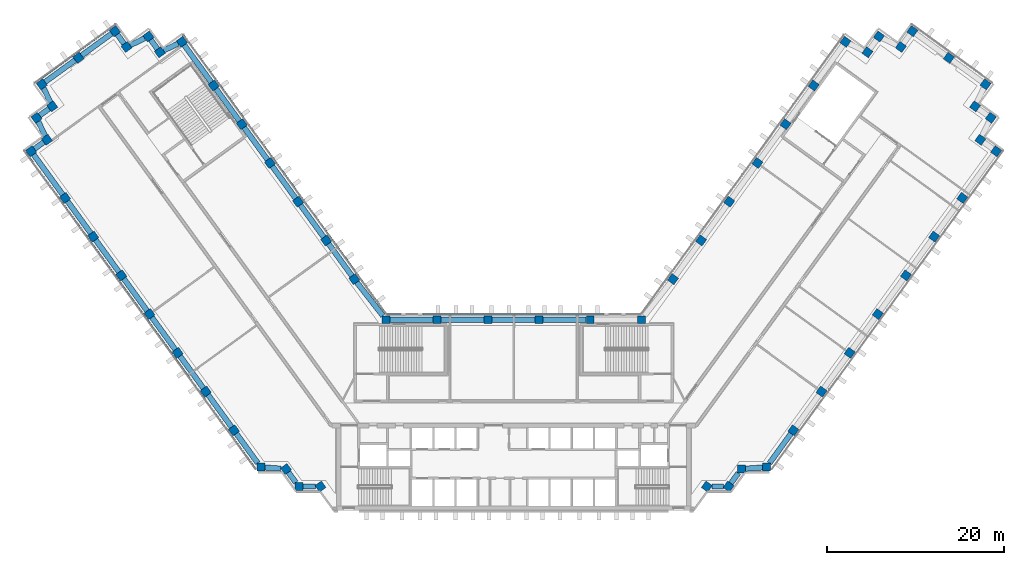
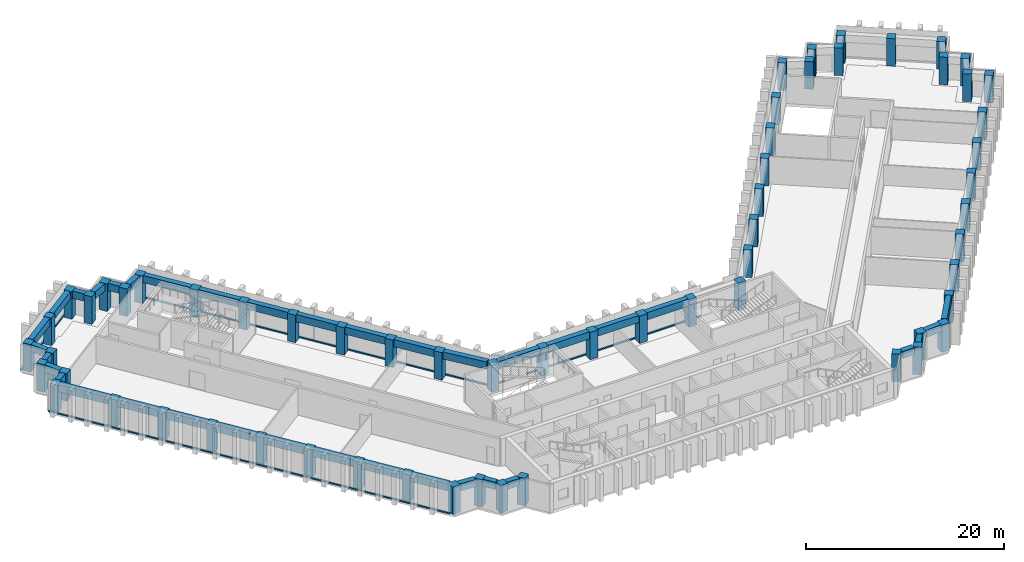
"""IFC4 building model written with IfcOpenShell, lengths in metres."""

from ifc_helpers import new_model, si_unit, direction, frame, origin, origin_2d, place, context, subcontext, project, spatial, rectangle, extrude, material, material_profile, profile_set, type_object, element, aggregate, save


model = new_model("IFC4")

# Units and contexts
model_context = context("Model", 3, precision=1e-05, world=origin(), true_north=direction((0.0, 1.0)))
body_context = subcontext(model_context, "Body", "Model", "MODEL_VIEW")
ifc_project = project(units=[si_unit("LENGTHUNIT", "METRE"), si_unit("AREAUNIT", "SQUARE_METRE"), si_unit("VOLUMEUNIT", "CUBIC_METRE"), si_unit("PLANEANGLEUNIT", "RADIAN"), si_unit("MASSUNIT", "GRAM", prefix="KILO")], contexts=[model_context])

# Site, building, storey
site_placement = place(None, origin())
site = spatial("IfcSite", under=ifc_project, at=site_placement, CompositionType="ELEMENT")
building_placement = place(site_placement, origin())
building = spatial("IfcBuilding", under=site, at=building_placement, Name="Quipu Civic Tower", CompositionType="ELEMENT")
storey_1_placement = place(building_placement, frame((0.0, 0.0, 75.0)))
storey_1 = spatial("IfcBuildingStorey", under=building, at=storey_1_placement, Name="L17", CompositionType="ELEMENT", Elevation=75.0)

# Columns
ifc_material_1 = material(Name="Concrete C70/85", Category="concrete")
ifc_material_profile_1 = material_profile(ifc_material_1, rectangle(XDim=0.89990234375, YDim=0.89990234375, at=origin_2d()), Name="RC900x900")
ifc_profile_set_1 = profile_set([ifc_material_profile_1], Name="Concrete C70/85")
column_type = type_object("IfcColumnType", Name="Perimeter column RC 900x900 C70/85", PredefinedType="COLUMN", material=ifc_profile_set_1)
for number, where, z_axis, x_axis, name in (
    (1, (-17.9736328125, 15.074951171875, 0.0), (0.0, 0.0, 1.0), (-0.587785252292, 0.809016994375, 0.0), "Column L17 W-IN-01"),
    (2, (-21.1474609375, 19.44384765625, 0.0), (0.0, 0.0, 1.0), (-0.587785252292, 0.809016994375, 0.0), "Column L17 W-IN-02"),
    (3, (-24.3212890625, 23.8125, 0.0), (0.0, 0.0, 1.0), (-0.587785252292, 0.809016994375, 0.0), "Column L17 W-IN-03"),
    (4, (-27.4951171875, 28.181396484375, 0.0), (0.0, 0.0, 1.0), (-0.587785252292, 0.809016994375, 0.0), "Column L17 W-IN-04"),
    (5, (-30.6689453125, 32.55029296875, 0.0), (0.0, 0.0, 1.0), (-0.587785252292, 0.809016994375, 0.0), "Column L17 W-IN-05"),
    (6, (-33.843017578125, 36.919189453125, 0.0), (0.0, 0.0, 1.0), (-0.587785252292, 0.809016994375, 0.0), "Column L17 W-IN-06"),
    (7, (-37.425048828125, 41.85009765625, 0.0), (0.0, 0.0, 1.0), (-0.587785252292, 0.809016994375, 0.0), "Column L17 T-Wi.0-W50"),
    (8, (-39.905517578125, 40.666015625, 0.0), (0.0, 0.0, 1.0), (-0.587785252292, 0.809016994375, 0.0), "Column L17 T-Wi.1-W50"),
    (9, (-41.199951171875, 42.445068359375, 0.0), (0.0, 0.0, 1.0), (-0.587785252292, 0.809016994375, 0.0), "Column L17 T-Wi.2-W50"),
    (10, (-43.674560546875, 41.264892578125, 0.0), (0.0, 0.0, 1.0), (-0.809016994375, -0.587785252292, 0.0), "Column L17 T-Wi.3-W50"),
    (11, (-44.969970703125, 43.044921875, 0.0), (0.0, 0.0, 1.0), (-0.809016994375, -0.587785252292, 0.0), "Column L17 T-Wi.4-W50"),
    (12, (-49.095703125, 40.046875, 0.0), (0.0, 0.0, 1.0), (-0.809016994375, -0.587785252292, 0.0), "Column L17 TIP-W-01-W50"),
    (13, (-53.219970703125, 37.050048828125, 0.0), (0.0, 0.0, 1.0), (0.587785252292, -0.809016994375, 0.0), "Column L17 T-Wo.0-W50"),
    (14, (-52.038818359375, 34.571044921875, 0.0), (0.0, 0.0, 1.0), (-0.809016994375, -0.587785252292, 0.0), "Column L17 T-Wo.1-W50"),
    (15, (-53.820068359375, 33.27490234375, 0.0), (0.0, 0.0, 1.0), (0.587785252292, -0.809016994375, 0.0), "Column L17 T-Wo.2-W50"),
    (16, (-52.635986328125, 30.799560546875, 0.0), (0.0, 0.0, 1.0), (-0.809016994375, -0.587785252292, 0.0), "Column L17 T-Wo.3-W50"),
    (17, (-54.4150390625, 29.5048828125, 0.0), (0.0, 0.0, 1.0), (0.587785252292, -0.809016994375, 0.0), "Column L17 T-Wo.4-W50"),
    (18, (-50.59228515625, 24.243408203125, 0.0), (0.0, 0.0, 1.0), (0.587785252292, -0.809016994375, 0.0), "Column L17 W-OUT-07"),
    (19, (-47.41845703125, 19.874755859375, 0.0), (0.0, 0.0, 1.0), (0.587785252292, -0.809016994375, 0.0), "Column L17 W-OUT-06"),
    (20, (-44.244384765625, 15.506103515625, 0.0), (0.0, 0.0, 1.0), (0.587785252292, -0.809016994375, 0.0), "Column L17 W-OUT-05"),
    (21, (-41.0703125, 11.137451171875, 0.0), (0.0, 0.0, 1.0), (0.587785252292, -0.809016994375, 0.0), "Column L17 W-OUT-04"),
    (22, (-37.896240234375, 6.768798828125, 0.0), (0.0, 0.0, 1.0), (0.587785252292, -0.809016994375, 0.0), "Column L17 W-OUT-03"),
    (23, (-34.722412109375, 2.39990234375, 0.0), (0.0, 0.0, 1.0), (0.587785252292, -0.809016994375, 0.0), "Column L17 W-OUT-02"),
    (24, (-31.54833984375, -1.96875, 0.0), (0.0, 0.0, 1.0), (0.587785252292, -0.809016994375, 0.0), "Column L17 W-OUT-01"),
    (25, (-28.52490234375, -6.1298828125, 0.0), (0.0, 0.0, 1.0), (1.0, 0.0, 0.0), "Column L17 J-Wo.0"),
    (26, (-25.67431640625, -6.3369140625, 0.0), (0.0, 0.0, 1.0), (0.587785252292, -0.809016994375, 0.0), "Column L17 J-Wo.1"),
    (27, (-24.235107421875, -8.31494140625, 0.0), (0.0, 0.0, 1.0), (1.0, 0.0, 0.0), "Column L17 J-Wo.2"),
    (28, (-21.791748046875, -8.31494140625, 0.0), (0.0, 0.0, 1.0), (0.587785252292, -0.809016994375, 0.0), "Column L17 J-Wo.3"),
    (29, (21.791748046875, -8.31494140625, 0.0), (0.0, 0.0, 1.0), (0.587785252292, 0.809016994375, 0.0), "Column L17 J-Eo.1"),
    (30, (24.235107421875, -8.31494140625, 0.0), (0.0, 0.0, 1.0), (0.587785252292, 0.809016994375, 0.0), "Column L17 J-Eo.2"),
    (31, (25.67431640625, -6.3369140625, 0.0), (0.0, 0.0, 1.0), (1.0, 0.0, 0.0), "Column L17 J-Eo.3"),
    (32, (28.52490234375, -6.1298828125, 0.0), (0.0, 0.0, 1.0), (1.0, 0.0, 0.0), "Column L17 J-Eo.4"),
    (33, (31.54833984375, -1.96875, 0.0), (0.0, 0.0, 1.0), (0.587785252292, 0.809016994375, 0.0), "Column L17 E-OUT-01"),
    (34, (34.722412109375, 2.39990234375, 0.0), (0.0, 0.0, 1.0), (0.587785252292, 0.809016994375, 0.0), "Column L17 E-OUT-02"),
    (35, (37.896240234375, 6.768798828125, 0.0), (0.0, 0.0, 1.0), (0.587785252292, 0.809016994375, 0.0), "Column L17 E-OUT-03"),
    (36, (41.0703125, 11.137451171875, 0.0), (0.0, 0.0, 1.0), (0.587785252292, 0.809016994375, 0.0), "Column L17 E-OUT-04"),
    (37, (44.244384765625, 15.506103515625, 0.0), (0.0, 0.0, 1.0), (0.587785252292, 0.809016994375, 0.0), "Column L17 E-OUT-05"),
    (38, (47.41845703125, 19.874755859375, 0.0), (0.0, 0.0, 1.0), (0.587785252292, 0.809016994375, 0.0), "Column L17 E-OUT-06"),
    (39, (50.59228515625, 24.243408203125, 0.0), (0.0, 0.0, 1.0), (0.587785252292, 0.809016994375, 0.0), "Column L17 E-OUT-07"),
    (40, (54.4150390625, 29.5048828125, 0.0), (0.0, 0.0, 1.0), (0.587785252292, 0.809016994375, 0.0), "Column L17 T-Eo.0-E50"),
    (41, (52.635986328125, 30.799560546875, 0.0), (0.0, 0.0, 1.0), (-0.809016994375, 0.587785252292, 0.0), "Column L17 T-Eo.1-E50"),
    (42, (53.820068359375, 33.27490234375, 0.0), (0.0, 0.0, 1.0), (-0.809016994375, 0.587785252292, 0.0), "Column L17 T-Eo.2-E50"),
    (43, (52.038818359375, 34.571044921875, 0.0), (0.0, 0.0, 1.0), (0.587785252292, 0.809016994375, 0.0), "Column L17 T-Eo.3-E50"),
    (44, (53.219970703125, 37.050048828125, 0.0), (0.0, 0.0, 1.0), (-0.809016994375, 0.587785252292, 0.0), "Column L17 T-Eo.4-E50"),
    (45, (49.095703125, 40.046875, 0.0), (0.0, 0.0, 1.0), (-0.809016994375, 0.587785252292, 0.0), "Column L17 TIP-E-01-E50"),
    (46, (44.969970703125, 43.044921875, 0.0), (0.0, 0.0, 1.0), (-0.809016994375, 0.587785252292, 0.0), "Column L17 T-Ei.0-E50"),
    (47, (43.674560546875, 41.264892578125, 0.0), (0.0, 0.0, 1.0), (-0.809016994375, 0.587785252292, 0.0), "Column L17 T-Ei.1-E50"),
    (48, (41.199951171875, 42.445068359375, 0.0), (0.0, 0.0, 1.0), (-0.587785252292, -0.809016994375, 0.0), "Column L17 T-Ei.2-E50"),
    (49, (39.905517578125, 40.666015625, 0.0), (0.0, 0.0, 1.0), (-0.587785252292, -0.809016994375, 0.0), "Column L17 T-Ei.3-E50"),
    (50, (37.425048828125, 41.85009765625, 0.0), (0.0, 0.0, 1.0), (-0.587785252292, -0.809016994375, 0.0), "Column L17 T-Ei.4-E50"),
    (51, (33.843017578125, 36.919189453125, 0.0), (0.0, 0.0, 1.0), (-0.587785252292, -0.809016994375, 0.0), "Column L17 E-IN-06"),
    (52, (30.6689453125, 32.55029296875, 0.0), (0.0, 0.0, 1.0), (-0.587785252292, -0.809016994375, 0.0), "Column L17 E-IN-05"),
    (53, (27.4951171875, 28.181396484375, 0.0), (0.0, 0.0, 1.0), (-0.587785252292, -0.809016994375, 0.0), "Column L17 E-IN-04"),
    (54, (24.3212890625, 23.8125, 0.0), (0.0, 0.0, 1.0), (-0.587785252292, -0.809016994375, 0.0), "Column L17 E-IN-03"),
    (55, (21.1474609375, 19.44384765625, 0.0), (0.0, 0.0, 1.0), (-0.587785252292, -0.809016994375, 0.0), "Column L17 E-IN-02"),
    (56, (17.9736328125, 15.074951171875, 0.0), (0.0, 0.0, 1.0), (-0.587785252292, -0.809016994375, 0.0), "Column L17 E-IN-01"),
    (57, (14.395263671875, 10.5, 0.0), (0.0, 0.0, 1.0), (-1.0, 0.0, 0.0), "Column L17 J-Ei.0"),
    (58, (8.63720703125, 10.5, 0.0), (0.0, 0.0, 1.0), (-1.0, 0.0, 0.0), "Column L17 FRONT-01"),
    (59, (2.87890625, 10.5, 0.0), (0.0, 0.0, 1.0), (-1.0, 0.0, 0.0), "Column L17 FRONT-02"),
    (60, (-2.87890625, 10.5, 0.0), (0.0, 0.0, 1.0), (-1.0, 0.0, 0.0), "Column L17 FRONT-03"),
    (61, (-8.63720703125, 10.5, 0.0), (0.0, 0.0, 1.0), (-1.0, 0.0, 0.0), "Column L17 FRONT-04"),
    (62, (-14.395263671875, 10.5, 0.0), (0.0, 0.0, 1.0), (-1.0, 0.0, 0.0), "Column L17 J-Wi.0"),
):
    element("IfcColumn", number, at=place(storey_1_placement, frame(where, z_axis=z_axis, x_axis=x_axis)), inside=storey_1, type_object=column_type, Name=name, PredefinedType="COLUMN", context=body_context, shape_type="SweptSolid", body=[
        extrude(rectangle(XDim=0.89990234375, YDim=0.89990234375, at=origin_2d()), origin(), (0.0, 0.0, 1.0), 3.39990234375),
    ])

# Beams
ifc_material_2 = material(Name="Concrete C50/60", Category="concrete")
ifc_material_profile_2 = material_profile(ifc_material_2, rectangle(XDim=0.60009765625, YDim=0.89990234375, at=origin_2d()), Name="RC600x900")
ifc_profile_set_2 = profile_set([ifc_material_profile_2], Name="Concrete C50/60")
beam_type = type_object("IfcBeamType", Name="Spandrel beam RC 600x900 C50/60", PredefinedType="SPANDREL", material=ifc_profile_set_2)
for number, where, z_axis, x_axis, name in (
    (63, (-18.238037109375, 15.43896484375, 2.949951171875), (-0.587716763865, 0.809066749701, 0.0), (-0.809066749701, -0.587716763865, 0.0), "Spandrel beam L17 W-IN-01 to W-IN-02"),
    (64, (-21.411865234375, 19.807861328125, 2.949951171875), (-0.587778073121, 0.809022210299, 0.0), (-0.809022210299, -0.587778073121, 0.0), "Spandrel beam L17 W-IN-02 to W-IN-03"),
    (65, (-24.585693359375, 24.1767578125, 2.949951171875), (-0.587778073121, 0.809022210299, 0.0), (-0.809022210299, -0.587778073121, 0.0), "Spandrel beam L17 W-IN-03 to W-IN-04"),
    (66, (-27.759765625, 28.545654296875, 2.949951171875), (-0.587742561851, 0.809048009076, 0.0), (-0.809048009076, -0.587742561851, 0.0), "Spandrel beam L17 W-IN-04 to W-IN-05"),
    (67, (-30.93359375, 32.914306640625, 2.949951171875), (-0.587716763865, 0.809066749701, 0.0), (-0.809066749701, -0.587716763865, 0.0), "Spandrel beam L17 W-IN-05 to W-IN-06"),
):
    element("IfcBeam", number, at=place(storey_1_placement, frame(where, z_axis=z_axis, x_axis=x_axis)), inside=storey_1, type_object=beam_type, Name=name, PredefinedType="SPANDREL", context=body_context, shape_type="SweptSolid", body=[
        extrude(rectangle(XDim=0.60009765625, YDim=0.89990234375, at=origin_2d()), origin(), (0.0, 0.0, 1.0), 4.5),
    ])
beam_1_placement = place(storey_1_placement, frame((-34.107421875, 37.283203125, 2.949951171875), z_axis=(-0.587732861365, 0.80905505602, 0.0), x_axis=(-0.80905505602, -0.587732861365, 0.0)))
element("IfcBeam", 68, at=beam_1_placement, inside=storey_1, type_object=beam_type, Name="Spandrel beam L17 W-IN-06 to T-Wi.0-W50", PredefinedType="SPANDREL", context=body_context, shape_type="SweptSolid", body=[
    extrude(rectangle(XDim=0.60009765625, YDim=0.89990234375, at=origin_2d()), origin(), (0.0, 0.0, 1.0), 5.194580078125),
])
beam_2_placement = place(storey_1_placement, frame((-37.837890625, 41.65283203125, 2.949951171875), z_axis=(-0.90245397739, -0.430786279601, 0.0), x_axis=(0.430786279601, -0.90245397739, 0.0)))
element("IfcBeam", 69, at=beam_2_placement, inside=storey_1, type_object=beam_type, Name="Spandrel beam L17 T-Wi.0-W50 to T-Wi.1-W50", PredefinedType="SPANDREL", context=body_context, shape_type="SweptSolid", body=[
    extrude(rectangle(XDim=0.60009765625, YDim=0.89990234375, at=origin_2d()), origin(), (0.0, 0.0, 1.0), 1.83349609375),
])
beam_3_placement = place(storey_1_placement, frame((-40.170166015625, 41.02978515625, 2.949951171875), z_axis=(-0.588461937499, 0.808524921146, 0.0), x_axis=(-0.808524921146, -0.588461937499, 0.0)))
element("IfcBeam", 70, at=beam_3_placement, inside=storey_1, type_object=beam_type, Name="Spandrel beam L17 T-Wi.1-W50 to T-Wi.2-W50", PredefinedType="SPANDREL", context=body_context, shape_type="SweptSolid", body=[
    extrude(rectangle(XDim=0.60009765625, YDim=0.89990234375, at=origin_2d()), origin(), (0.0, 0.0, 1.0), 1.30029296875),
])
beam_4_placement = place(storey_1_placement, frame((-41.613037109375, 42.248046875, 2.949951171875), z_axis=(-0.902613270121, -0.430452418511, 0.0), x_axis=(0.430452418511, -0.902613270121, 0.0)))
element("IfcBeam", 71, at=beam_4_placement, inside=storey_1, type_object=beam_type, Name="Spandrel beam L17 T-Wi.2-W50 to T-Wi.3-W50", PredefinedType="SPANDREL", context=body_context, shape_type="SweptSolid", body=[
    extrude(rectangle(XDim=0.60009765625, YDim=0.89990234375, at=origin_2d()), origin(), (0.0, 0.0, 1.0), 1.826416015625),
])
beam_5_placement = place(storey_1_placement, frame((-43.939453125, 41.628662109375, 2.949951171875), z_axis=(-0.588383572423, 0.808581951136, 0.0), x_axis=(-0.808581951136, -0.588383572423, 0.0)))
element("IfcBeam", 72, at=beam_5_placement, inside=storey_1, type_object=beam_type, Name="Spandrel beam L17 T-Wi.3-W50 to T-Wi.4-W50", PredefinedType="SPANDREL", context=body_context, shape_type="SweptSolid", body=[
    extrude(rectangle(XDim=0.60009765625, YDim=0.89990234375, at=origin_2d()), origin(), (0.0, 0.0, 1.0), 1.3017578125),
])
beam_6_placement = place(storey_1_placement, frame((-45.333984375, 42.780517578125, 2.949951171875), z_axis=(-0.808969789945, -0.58785021813, 0.0), x_axis=(0.58785021813, -0.808969789945, 0.0)))
element("IfcBeam", 73, at=beam_6_placement, inside=storey_1, type_object=beam_type, Name="Spandrel beam L17 T-Wi.4-W50 to TIP-W-01-W50", PredefinedType="SPANDREL", context=body_context, shape_type="SweptSolid", body=[
    extrude(rectangle(XDim=0.60009765625, YDim=0.89990234375, at=origin_2d()), origin(), (0.0, 0.0, 1.0), 4.199951171875),
])
beam_7_placement = place(storey_1_placement, frame((-49.459716796875, 39.782470703125, 2.949951171875), z_axis=(-0.808959834407, -0.587863918196, 0.0), x_axis=(0.587863918196, -0.808959834407, 0.0)))
element("IfcBeam", 74, at=beam_7_placement, inside=storey_1, type_object=beam_type, Name="Spandrel beam L17 TIP-W-01-W50 to T-Wo.0-W50", PredefinedType="SPANDREL", context=body_context, shape_type="SweptSolid", body=[
    extrude(rectangle(XDim=0.60009765625, YDim=0.89990234375, at=origin_2d()), origin(), (0.0, 0.0, 1.0), 4.1982421875),
])
beam_8_placement = place(storey_1_placement, frame((-53.023193359375, 36.63671875, 2.949951171875), z_axis=(0.430166558323, -0.902749540072, 0.0), x_axis=(0.902749540072, 0.430166558323, 0.0)))
element("IfcBeam", 75, at=beam_8_placement, inside=storey_1, type_object=beam_type, Name="Spandrel beam L17 T-Wo.0-W50 to T-Wo.1-W50", PredefinedType="SPANDREL", context=body_context, shape_type="SweptSolid", body=[
    extrude(rectangle(XDim=0.60009765625, YDim=0.89990234375, at=origin_2d()), origin(), (0.0, 0.0, 1.0), 1.830322265625),
])
beam_9_placement = place(storey_1_placement, frame((-52.40283203125, 34.306396484375, 2.949951171875), z_axis=(-0.808509099783, -0.588483674853, 0.0), x_axis=(0.588483674853, -0.808509099783, 0.0)))
element("IfcBeam", 76, at=beam_9_placement, inside=storey_1, type_object=beam_type, Name="Spandrel beam L17 T-Wo.1-W50 to T-Wo.2-W50", PredefinedType="SPANDREL", context=body_context, shape_type="SweptSolid", body=[
    extrude(rectangle(XDim=0.60009765625, YDim=0.89990234375, at=origin_2d()), origin(), (0.0, 0.0, 1.0), 1.302734375),
])
beam_10_placement = place(storey_1_placement, frame((-53.62255859375, 32.8623046875, 2.949951171875), z_axis=(0.431446050156, -0.902138739776, 0.0), x_axis=(0.902138739776, 0.431446050156, 0.0)))
element("IfcBeam", 77, at=beam_10_placement, inside=storey_1, type_object=beam_type, Name="Spandrel beam L17 T-Wo.2-W50 to T-Wo.3-W50", PredefinedType="SPANDREL", context=body_context, shape_type="SweptSolid", body=[
    extrude(rectangle(XDim=0.60009765625, YDim=0.89990234375, at=origin_2d()), origin(), (0.0, 0.0, 1.0), 1.828857421875),
])
beam_11_placement = place(storey_1_placement, frame((-53.0, 30.53466796875, 2.949951171875), z_axis=(-0.808549242423, -0.588428519514, 0.0), x_axis=(0.588428519514, -0.808549242423, 0.0)))
element("IfcBeam", 78, at=beam_11_placement, inside=storey_1, type_object=beam_type, Name="Spandrel beam L17 T-Wo.3-W50 to T-Wo.4-W50", PredefinedType="SPANDREL", context=body_context, shape_type="SweptSolid", body=[
    extrude(rectangle(XDim=0.60009765625, YDim=0.89990234375, at=origin_2d()), origin(), (0.0, 0.0, 1.0), 1.2998046875),
])
beam_12_placement = place(storey_1_placement, frame((-54.150390625, 29.140869140625, 2.949951171875), z_axis=(0.587772657145, -0.809026145135, 0.0), x_axis=(0.809026145135, 0.587772657145, 0.0)))
element("IfcBeam", 79, at=beam_12_placement, inside=storey_1, type_object=beam_type, Name="Spandrel beam L17 T-Wo.4-W50 to W-OUT-07", PredefinedType="SPANDREL", context=body_context, shape_type="SweptSolid", body=[
    extrude(rectangle(XDim=0.60009765625, YDim=0.89990234375, at=origin_2d()), origin(), (0.0, 0.0, 1.0), 5.603271484375),
])
beam_13_placement = place(storey_1_placement, frame((-50.327880859375, 23.87939453125, 2.949951171875), z_axis=(0.587778073121, -0.809022210299, 0.0), x_axis=(0.809022210299, 0.587778073121, 0.0)))
element("IfcBeam", 80, at=beam_13_placement, inside=storey_1, type_object=beam_type, Name="Spandrel beam L17 W-OUT-07 to W-OUT-06", PredefinedType="SPANDREL", context=body_context, shape_type="SweptSolid", body=[
    extrude(rectangle(XDim=0.60009765625, YDim=0.89990234375, at=origin_2d()), origin(), (0.0, 0.0, 1.0), 4.5),
])
beam_14_placement = place(storey_1_placement, frame((-47.15380859375, 19.5107421875, 2.949951171875), z_axis=(0.587803872688, -0.809003465539, 0.0), x_axis=(0.809003465539, 0.587803872688, 0.0)))
element("IfcBeam", 81, at=beam_14_placement, inside=storey_1, type_object=beam_type, Name="Spandrel beam L17 W-OUT-06 to W-OUT-05", PredefinedType="SPANDREL", context=body_context, shape_type="SweptSolid", body=[
    extrude(rectangle(XDim=0.60009765625, YDim=0.89990234375, at=origin_2d()), origin(), (0.0, 0.0, 1.0), 4.499755859375),
])
for number, where, z_axis, x_axis, name in (
    (82, (-43.97998046875, 15.14208984375, 2.949951171875), (0.587778073121, -0.809022210299, 0.0), (0.809022210299, 0.587778073121, 0.0), "Spandrel beam L17 W-OUT-05 to W-OUT-04"),
    (83, (-40.805908203125, 10.7734375, 2.949951171875), (0.587778073121, -0.809022210299, 0.0), (0.809022210299, 0.587778073121, 0.0), "Spandrel beam L17 W-OUT-04 to W-OUT-03"),
):
    element("IfcBeam", number, at=place(storey_1_placement, frame(where, z_axis=z_axis, x_axis=x_axis)), inside=storey_1, type_object=beam_type, Name=name, PredefinedType="SPANDREL", context=body_context, shape_type="SweptSolid", body=[
        extrude(rectangle(XDim=0.60009765625, YDim=0.89990234375, at=origin_2d()), origin(), (0.0, 0.0, 1.0), 4.5),
    ])
beam_15_placement = place(storey_1_placement, frame((-37.6318359375, 6.404541015625, 2.949951171875), z_axis=(0.587803872688, -0.809003465539, 0.0), x_axis=(0.809003465539, 0.587803872688, 0.0)))
element("IfcBeam", 84, at=beam_15_placement, inside=storey_1, type_object=beam_type, Name="Spandrel beam L17 W-OUT-03 to W-OUT-02", PredefinedType="SPANDREL", context=body_context, shape_type="SweptSolid", body=[
    extrude(rectangle(XDim=0.60009765625, YDim=0.89990234375, at=origin_2d()), origin(), (0.0, 0.0, 1.0), 4.499755859375),
])
beam_16_placement = place(storey_1_placement, frame((-34.457763671875, 2.035888671875, 2.949951171875), z_axis=(0.587778073121, -0.809022210299, 0.0), x_axis=(0.809022210299, 0.587778073121, 0.0)))
element("IfcBeam", 85, at=beam_16_placement, inside=storey_1, type_object=beam_type, Name="Spandrel beam L17 W-OUT-02 to W-OUT-01", PredefinedType="SPANDREL", context=body_context, shape_type="SweptSolid", body=[
    extrude(rectangle(XDim=0.60009765625, YDim=0.89990234375, at=origin_2d()), origin(), (0.0, 0.0, 1.0), 4.5),
])
beam_17_placement = place(storey_1_placement, frame((-31.28369140625, -2.332763671875, 2.949951171875), z_axis=(0.587750565781, -0.809042194464, 0.0), x_axis=(0.809042194464, 0.587750565781, 0.0)))
element("IfcBeam", 86, at=beam_17_placement, inside=storey_1, type_object=beam_type, Name="Spandrel beam L17 W-OUT-01 to J-Wo.0", PredefinedType="SPANDREL", context=body_context, shape_type="SweptSolid", body=[
    extrude(rectangle(XDim=0.60009765625, YDim=0.89990234375, at=origin_2d()), origin(), (0.0, 0.0, 1.0), 4.13720703125),
])
beam_18_placement = place(storey_1_placement, frame((-28.074951171875, -6.16259765625, 2.949951171875), z_axis=(0.997367229877, -0.072516265536, 0.0), x_axis=(0.072516265536, 0.997367229877, 0.0)))
element("IfcBeam", 87, at=beam_18_placement, inside=storey_1, type_object=beam_type, Name="Spandrel beam L17 J-Wo.0 to J-Wo.1", PredefinedType="SPANDREL", context=body_context, shape_type="SweptSolid", body=[
    extrude(rectangle(XDim=0.60009765625, YDim=0.89990234375, at=origin_2d()), origin(), (0.0, 0.0, 1.0), 1.818115234375),
])
beam_19_placement = place(storey_1_placement, frame((-25.40966796875, -6.700927734375, 2.949951171875), z_axis=(0.588433824377, -0.808545381738, 0.0), x_axis=(0.808545381738, 0.588433824377, 0.0)))
element("IfcBeam", 88, at=beam_19_placement, inside=storey_1, type_object=beam_type, Name="Spandrel beam L17 J-Wo.1 to J-Wo.2", PredefinedType="SPANDREL", context=body_context, shape_type="SweptSolid", body=[
    extrude(rectangle(XDim=0.60009765625, YDim=0.89990234375, at=origin_2d()), origin(), (0.0, 0.0, 1.0), 1.439697265625),
])
beam_20_placement = place(storey_1_placement, frame((-23.784912109375, -8.31494140625, 2.949951171875), z_axis=(1.0, 0.0, 0.0), x_axis=(0.0, 1.0, 0.0)))
element("IfcBeam", 89, at=beam_20_placement, inside=storey_1, type_object=beam_type, Name="Spandrel beam L17 J-Wo.2 to J-Wo.3", PredefinedType="SPANDREL", context=body_context, shape_type="SweptSolid", body=[
    extrude(rectangle(XDim=0.60009765625, YDim=0.89990234375, at=origin_2d()), origin(), (0.0, 0.0, 1.0), 1.436767578125),
])
beam_21_placement = place(storey_1_placement, frame((22.34814453125, -8.31494140625, 2.949951171875), z_axis=(1.0, 0.0, 0.0), x_axis=(0.0, 1.0, 0.0)))
element("IfcBeam", 90, at=beam_21_placement, inside=storey_1, type_object=beam_type, Name="Spandrel beam L17 J-Eo.1 to J-Eo.2", PredefinedType="SPANDREL", context=body_context, shape_type="SweptSolid", body=[
    extrude(rectangle(XDim=0.60009765625, YDim=0.89990234375, at=origin_2d()), origin(), (0.0, 0.0, 1.0), 1.33056640625),
])
beam_22_placement = place(storey_1_placement, frame((24.499755859375, -7.951171875, 2.949951171875), z_axis=(0.588433824377, 0.808545381738, 0.0), x_axis=(-0.808545381738, 0.588433824377, 0.0)))
element("IfcBeam", 91, at=beam_22_placement, inside=storey_1, type_object=beam_type, Name="Spandrel beam L17 J-Eo.2 to J-Eo.3", PredefinedType="SPANDREL", context=body_context, shape_type="SweptSolid", body=[
    extrude(rectangle(XDim=0.60009765625, YDim=0.89990234375, at=origin_2d()), origin(), (0.0, 0.0, 1.0), 1.439697265625),
])
beam_23_placement = place(storey_1_placement, frame((26.12451171875, -6.304443359375, 2.949951171875), z_axis=(0.997365981169, 0.072533437859, 0.0), x_axis=(-0.072533437859, 0.997365981169, 0.0)))
element("IfcBeam", 92, at=beam_23_placement, inside=storey_1, type_object=beam_type, Name="Spandrel beam L17 J-Eo.3 to J-Eo.4", PredefinedType="SPANDREL", context=body_context, shape_type="SweptSolid", body=[
    extrude(rectangle(XDim=0.60009765625, YDim=0.89990234375, at=origin_2d()), origin(), (0.0, 0.0, 1.0), 1.95556640625),
])
beam_24_placement = place(storey_1_placement, frame((28.85205078125, -5.679931640625, 2.949951171875), z_axis=(0.587750565781, 0.809042194464, 0.0), x_axis=(-0.809042194464, 0.587750565781, 0.0)))
element("IfcBeam", 93, at=beam_24_placement, inside=storey_1, type_object=beam_type, Name="Spandrel beam L17 J-Eo.4 to E-OUT-01", PredefinedType="SPANDREL", context=body_context, shape_type="SweptSolid", body=[
    extrude(rectangle(XDim=0.60009765625, YDim=0.89990234375, at=origin_2d()), origin(), (0.0, 0.0, 1.0), 4.13720703125),
])
for number, where, z_axis, x_axis, name in (
    (94, (8.18701171875, 10.5, 2.949951171875), (-1.0, 0.0, 0.0), (0.0, -1.0, 0.0), "Spandrel beam L17 FRONT-01 to FRONT-02"),
    (95, (2.428955078125, 10.5, 2.949951171875), (-1.0, 0.0, 0.0), (0.0, -1.0, 0.0), "Spandrel beam L17 FRONT-02 to FRONT-03"),
    (96, (-3.3291015625, 10.5, 2.949951171875), (-1.0, 0.0, 0.0), (0.0, -1.0, 0.0), "Spandrel beam L17 FRONT-03 to FRONT-04"),
):
    element("IfcBeam", number, at=place(storey_1_placement, frame(where, z_axis=z_axis, x_axis=x_axis)), inside=storey_1, type_object=beam_type, Name=name, PredefinedType="SPANDREL", context=body_context, shape_type="SweptSolid", body=[
        extrude(rectangle(XDim=0.60009765625, YDim=0.89990234375, at=origin_2d()), origin(), (0.0, 0.0, 1.0), 4.85791015625),
    ])
beam_25_placement = place(storey_1_placement, frame((-9.087158203125, 10.5, 2.949951171875), z_axis=(-1.0, 0.0, 0.0), x_axis=(0.0, -1.0, 0.0)))
element("IfcBeam", 97, at=beam_25_placement, inside=storey_1, type_object=beam_type, Name="Spandrel beam L17 FRONT-04 to J-Wi.0", PredefinedType="SPANDREL", context=body_context, shape_type="SweptSolid", body=[
    extrude(rectangle(XDim=0.60009765625, YDim=0.89990234375, at=origin_2d()), origin(), (0.0, 0.0, 1.0), 4.858154296875),
])
beam_26_placement = place(storey_1_placement, frame((-14.7470703125, 10.949951171875, 2.949951171875), z_axis=(-0.616123961998, 0.787649200756, 0.0), x_axis=(-0.787649200756, -0.616123961998, 0.0)))
element("IfcBeam", 98, at=beam_26_placement, inside=storey_1, type_object=beam_type, Name="Spandrel beam L17 J-Wi.0 to W-IN-01", PredefinedType="SPANDREL", context=body_context, shape_type="SweptSolid", body=[
    extrude(rectangle(XDim=0.60009765625, YDim=0.89990234375, at=origin_2d()), origin(), (0.0, 0.0, 1.0), 4.78662109375),
])

# Storey
storey_2_placement = place(building_placement, frame((0.0, 0.0, 71.0)))
storey_2 = spatial("IfcBuildingStorey", under=building, at=storey_2_placement, Name="L16", CompositionType="ELEMENT", Elevation=71.0)

# Curtain wall, members
ifc_material_3 = material(Name="Insulated glass unit", Category="glass")
curtain_wall_type = type_object("IfcCurtainWallType", Name="Office curtain wall CW1", PredefinedType="NOTDEFINED", material=ifc_material_3)
curtain_wall_1_placement = place(storey_2_placement, origin())
curtain_wall_1 = element("IfcCurtainWall", 99, at=curtain_wall_1_placement, inside=storey_2, type_object=curtain_wall_type, Name="Office curtain wall CW1 L15 run 1", PredefinedType="NOTDEFINED")
ifc_material_4 = material(Name="Anodised aluminium", Category="aluminium")
ifc_material_profile_3 = material_profile(ifc_material_4, rectangle(XDim=0.199951171875, YDim=0.159912109375, at=origin_2d()), Name="RECT 200x160")
ifc_profile_set_3 = profile_set([ifc_material_profile_3], Name="Anodised aluminium")
member_type = type_object("IfcMemberType", Name="Transom CW1", PredefinedType="USERDEFINED", material=ifc_profile_set_3)
member_1_placement = place(storey_1_placement, frame((-14.39111328125, 11.164794921875, 0.080078125), z_axis=(-0.58779220199, 0.809011945079, 0.0), x_axis=(-0.809011945079, -0.58779220199, 0.0)))
member_1 = element("IfcMember", 100, at=member_1_placement, inside=storey_1, type_object=member_type, Name="CW1 transom 1.3", ObjectType="TRANSOM", PredefinedType="USERDEFINED", context=body_context, shape_type="SweptSolid", body=[
    extrude(rectangle(XDim=0.199951171875, YDim=0.159912109375, at=origin_2d()), origin(), (0.0, 0.0, 1.0), 9.64111328125),
])
member_2_placement = place(storey_1_placement, frame((-20.105224609375, 19.029296875, 0.080078125), z_axis=(-0.587793764301, 0.80901080997, 0.0), x_axis=(-0.80901080997, -0.587793764301, 0.0)))
member_2 = element("IfcMember", 101, at=member_2_placement, inside=storey_1, type_object=member_type, Name="CW1 transom 2.3", ObjectType="TRANSOM", PredefinedType="USERDEFINED", context=body_context, shape_type="SweptSolid", body=[
    extrude(rectangle(XDim=0.199951171875, YDim=0.159912109375, at=origin_2d()), origin(), (0.0, 0.0, 1.0), 9.680908203125),
])
member_3_placement = place(storey_1_placement, frame((-25.842529296875, 26.926025390625, 0.080078125), z_axis=(-0.58778177227, 0.809019522748, 0.0), x_axis=(-0.809019522748, -0.58778177227, 0.0)))
member_3 = element("IfcMember", 102, at=member_3_placement, inside=storey_1, type_object=member_type, Name="CW1 transom 3.3", ObjectType="TRANSOM", PredefinedType="USERDEFINED", context=body_context, shape_type="SweptSolid", body=[
    extrude(rectangle(XDim=0.199951171875, YDim=0.159912109375, at=origin_2d()), origin(), (0.0, 0.0, 1.0), 9.68115234375),
])
member_4_placement = place(storey_1_placement, frame((-31.580078125, 34.822998046875, 0.080078125), z_axis=(-0.587775627857, 0.809023986849, 0.0), x_axis=(-0.809023986849, -0.587775627857, 0.0)))
member_4 = element("IfcMember", 103, at=member_4_placement, inside=storey_1, type_object=member_type, Name="CW1 transom 4.3", ObjectType="TRANSOM", PredefinedType="USERDEFINED", context=body_context, shape_type="SweptSolid", body=[
    extrude(rectangle(XDim=0.199951171875, YDim=0.159912109375, at=origin_2d()), origin(), (0.0, 0.0, 1.0), 9.64111328125),
])
aggregate(curtain_wall_1, [member_1, member_2, member_3, member_4])

# Curtain wall, member
curtain_wall_2_placement = place(storey_2_placement, origin())
curtain_wall_2 = element("IfcCurtainWall", 104, at=curtain_wall_2_placement, inside=storey_2, type_object=curtain_wall_type, Name="Office curtain wall CW1 L15 run 6", PredefinedType="NOTDEFINED")
member_5_placement = place(storey_1_placement, frame((-44.9013671875, 43.8349609375, 0.080078125), z_axis=(-0.809032792449, -0.587763507495, 0.0), x_axis=(0.587763507495, -0.809032792449, 0.0)))
member_5 = element("IfcMember", 105, at=member_5_placement, inside=storey_1, type_object=member_type, Name="CW1 transom 1.3", ObjectType="TRANSOM", PredefinedType="USERDEFINED", context=body_context, shape_type="SweptSolid", body=[
    extrude(rectangle(XDim=0.199951171875, YDim=0.159912109375, at=origin_2d()), origin(), (0.0, 0.0, 1.0), 11.239990234375),
])
aggregate(curtain_wall_2, [member_5])

# Curtain wall, members
curtain_wall_3_placement = place(storey_2_placement, origin())
curtain_wall_3 = element("IfcCurtainWall", 106, at=curtain_wall_3_placement, inside=storey_2, type_object=curtain_wall_type, Name="Office curtain wall CW1 L15 run 8", PredefinedType="NOTDEFINED")
member_6_placement = place(storey_1_placement, frame((-55.20703125, 29.573974609375, 0.080078125), z_axis=(0.587779179422, -0.809021406539, 0.0), x_axis=(0.809021406539, 0.587779179422, 0.0)))
member_6 = element("IfcMember", 107, at=member_6_placement, inside=storey_1, type_object=member_type, Name="CW1 transom 1.3", ObjectType="TRANSOM", PredefinedType="USERDEFINED", context=body_context, shape_type="SweptSolid", body=[
    extrude(rectangle(XDim=0.199951171875, YDim=0.159912109375, at=origin_2d()), origin(), (0.0, 0.0, 1.0), 11.02294921875),
])
member_7_placement = place(storey_1_placement, frame((-48.68115234375, 20.591552734375, 0.080078125), z_axis=(0.587795037589, -0.80900988485, 0.0), x_axis=(0.80900988485, 0.587795037589, 0.0)))
member_7 = element("IfcMember", 108, at=member_7_placement, inside=storey_1, type_object=member_type, Name="CW1 transom 2.3", ObjectType="TRANSOM", PredefinedType="USERDEFINED", context=body_context, shape_type="SweptSolid", body=[
    extrude(rectangle(XDim=0.199951171875, YDim=0.159912109375, at=origin_2d()), origin(), (0.0, 0.0, 1.0), 11.062744140625),
])
member_8_placement = place(storey_1_placement, frame((-42.131591796875, 11.576904296875, 0.080078125), z_axis=(0.587795037589, -0.80900988485, 0.0), x_axis=(0.80900988485, 0.587795037589, 0.0)))
member_8 = element("IfcMember", 109, at=member_8_placement, inside=storey_1, type_object=member_type, Name="CW1 transom 3.3", ObjectType="TRANSOM", PredefinedType="USERDEFINED", context=body_context, shape_type="SweptSolid", body=[
    extrude(rectangle(XDim=0.199951171875, YDim=0.159912109375, at=origin_2d()), origin(), (0.0, 0.0, 1.0), 11.062744140625),
])
member_9_placement = place(storey_1_placement, frame((-35.58203125, 2.562255859375, 0.080078125), z_axis=(0.587779179422, -0.809021406539, 0.0), x_axis=(0.809021406539, 0.587779179422, 0.0)))
member_9 = element("IfcMember", 110, at=member_9_placement, inside=storey_1, type_object=member_type, Name="CW1 transom 4.3", ObjectType="TRANSOM", PredefinedType="USERDEFINED", context=body_context, shape_type="SweptSolid", body=[
    extrude(rectangle(XDim=0.199951171875, YDim=0.159912109375, at=origin_2d()), origin(), (0.0, 0.0, 1.0), 11.02294921875),
])
aggregate(curtain_wall_3, [member_6, member_7, member_8, member_9])

curtain_wall_4_placement = place(storey_2_placement, origin())
curtain_wall_4 = element("IfcCurtainWall", 111, at=curtain_wall_4_placement, inside=storey_2, type_object=curtain_wall_type, Name="Office curtain wall CW1 L15 run 33", PredefinedType="NOTDEFINED")
member_10_placement = place(storey_1_placement, frame((10.18359375, 11.10009765625, 0.080078125), z_axis=(-1.0, 0.0, 0.0), x_axis=(0.0, -1.0, 0.0)))
member_10 = element("IfcMember", 112, at=member_10_placement, inside=storey_1, type_object=member_type, Name="CW1 transom 1.3", ObjectType="TRANSOM", PredefinedType="USERDEFINED", context=body_context, shape_type="SweptSolid", body=[
    extrude(rectangle(XDim=0.199951171875, YDim=0.159912109375, at=origin_2d()), origin(), (0.0, 0.0, 1.0), 10.1435546875),
])
member_11_placement = place(storey_1_placement, frame((-0.0400390625, 11.10009765625, 0.080078125), z_axis=(-1.0, 0.0, 0.0), x_axis=(0.0, -1.0, 0.0)))
member_11 = element("IfcMember", 113, at=member_11_placement, inside=storey_1, type_object=member_type, Name="CW1 transom 2.3", ObjectType="TRANSOM", PredefinedType="USERDEFINED", context=body_context, shape_type="SweptSolid", body=[
    extrude(rectangle(XDim=0.199951171875, YDim=0.159912109375, at=origin_2d()), origin(), (0.0, 0.0, 1.0), 10.1435546875),
])
aggregate(curtain_wall_4, [member_10, member_11])

# Curtain wall, member
curtain_wall_5_placement = place(storey_2_placement, origin())
curtain_wall_5 = element("IfcCurtainWall", 114, at=curtain_wall_5_placement, inside=storey_2, type_object=curtain_wall_type, Name="Office curtain wall CW1 L15 run 35", PredefinedType="NOTDEFINED")
member_12_placement = place(storey_1_placement, frame((-12.735107421875, 11.10009765625, 0.080078125), z_axis=(-1.0, 0.0, 0.0), x_axis=(0.0, -1.0, 0.0)))
member_12 = element("IfcMember", 115, at=member_12_placement, inside=storey_1, type_object=member_type, Name="CW1 transom 1.3", ObjectType="TRANSOM", PredefinedType="USERDEFINED", context=body_context, shape_type="SweptSolid", body=[
    extrude(rectangle(XDim=0.199951171875, YDim=0.159912109375, at=origin_2d()), origin(), (0.0, 0.0, 1.0), 1.529052734375),
])
aggregate(curtain_wall_5, [member_12])

save(model, "model.ifc")
